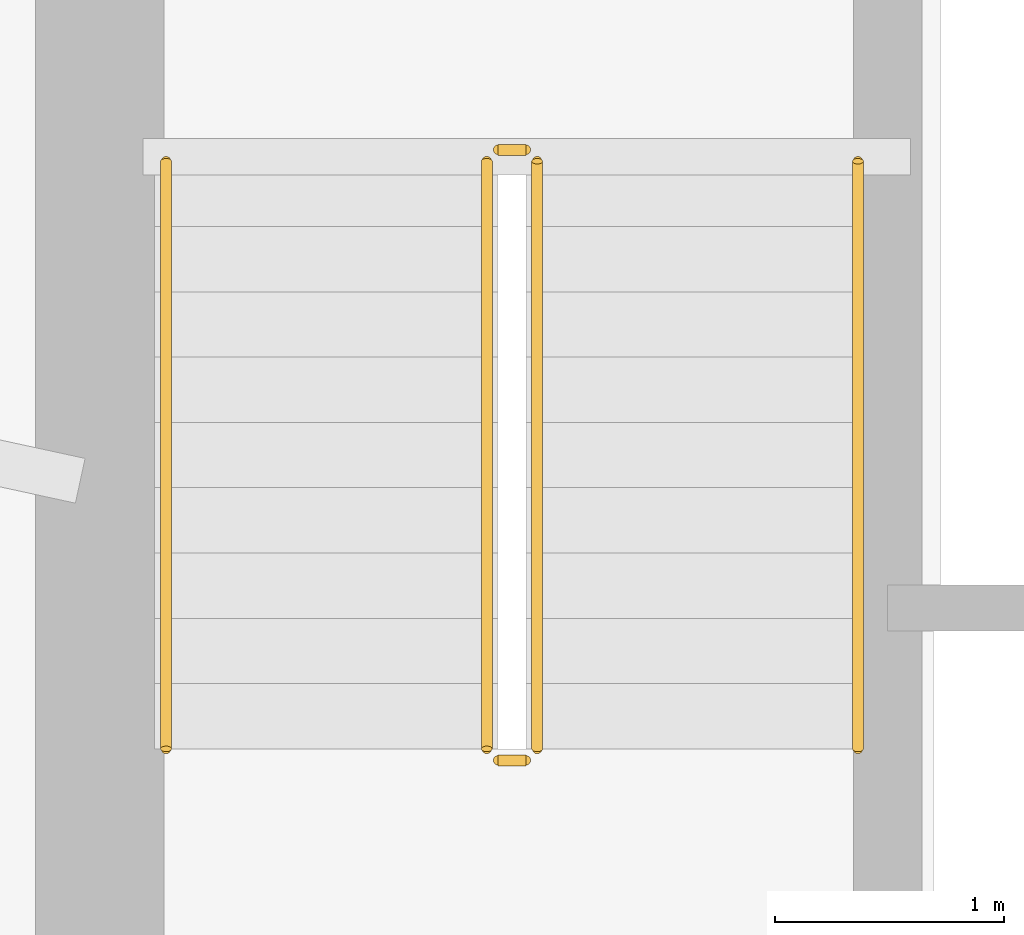
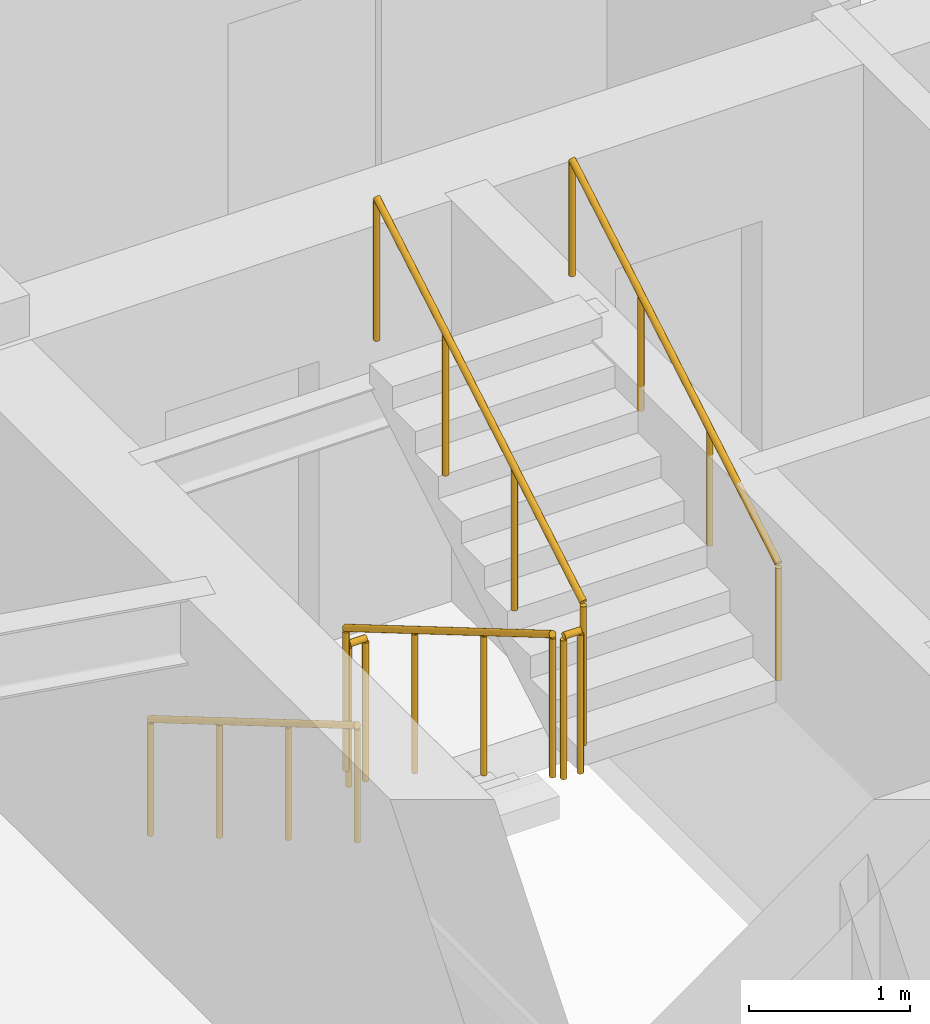
# One storey, part 20 of 22: 6 railings.
"""IFC4 building model written with IfcOpenShell, lengths in metres."""

from ifc_helpers import new_model, si_unit, direction, frame, origin, origin_2d, place, context, subcontext, project, spatial, circle, extrude, material, type_object, element, save


model = new_model("IFC4")

# Units and contexts
model_context = context("Model", 3, precision=1e-05, world=origin(), true_north=direction((0.0, 1.0)))
body_context = subcontext(model_context, "Body", "Model", "MODEL_VIEW")
ifc_project = project(units=[si_unit("LENGTHUNIT", "METRE"), si_unit("AREAUNIT", "SQUARE_METRE"), si_unit("VOLUMEUNIT", "CUBIC_METRE"), si_unit("PLANEANGLEUNIT", "RADIAN"), si_unit("MASSUNIT", "GRAM", prefix="KILO")], contexts=[model_context])

# Site, building, storey
site_placement = place(None, origin())
site = spatial("IfcSite", under=ifc_project, at=site_placement, CompositionType="ELEMENT")
building_placement = place(site_placement, origin())
building = spatial("IfcBuilding", under=site, at=building_placement, Name="Qobustan Lattice House", CompositionType="ELEMENT")
storey_placement = place(building_placement, frame((0.0, 0.0, 33.699951171875)))
storey = spatial("IfcBuildingStorey", under=building, at=storey_placement, Name="L08", CompositionType="ELEMENT", Elevation=33.699951171875)

# Railings
ifc_material_1 = material(Name="Brushed stainless steel handrail", Category="steel")
railing_type_1 = type_object("IfcRailingType", Name="RAL-HR-920", PredefinedType="HANDRAIL", material=ifc_material_1)
railing_1_placement = place(storey_placement, frame((-18.199951171875, 3.5, 0.16748046875)))
element("IfcRailing", 1, at=railing_1_placement, inside=storey, type_object=railing_type_1, Name="L08 ST-W1 stair handrail 1", PredefinedType="HANDRAIL", context=body_context, shape_type="SweptSolid", body=[
    extrude(circle(Radius=0.02392578125, at=origin_2d()), frame((0.0, 0.0, 0.8759765625), z_axis=(0.0, -0.862113467892, 0.50671527358), x_axis=(1.0, 0.0, 0.0)), (0.0, 0.0, 1.0), 2.97509765625),
    extrude(circle(Radius=0.02099609375, at=origin_2d()), origin(), (0.0, 0.0, 1.0), 0.851806640625),
    extrude(circle(Radius=0.02099609375, at=origin_2d()), frame((0.0, -0.85498046875, 0.50244140625)), (0.0, 0.0, 1.0), 0.851806640625),
    extrude(circle(Radius=0.02099609375, at=origin_2d()), frame((0.0, -1.7099609375, 1.005126953125)), (0.0, 0.0, 1.0), 0.851806640625),
    extrude(circle(Radius=0.02099609375, at=origin_2d()), frame((0.0, -2.56494140625, 1.507568359375)), (0.0, 0.0, 1.0), 0.851806640625),
])
railing_2_placement = place(storey_placement, frame((-15.179931640625, 0.93505859375, 1.842529296875)))
element("IfcRailing", 2, at=railing_2_placement, inside=storey, type_object=railing_type_1, Name="L08 ST-W1 stair handrail 2", PredefinedType="HANDRAIL", context=body_context, shape_type="SweptSolid", body=[
    extrude(circle(Radius=0.02392578125, at=origin_2d()), frame((0.0, 0.0, 0.8759765625), z_axis=(0.0, 0.862113467892, 0.50671527358), x_axis=(-1.0, 0.0, 0.0)), (0.0, 0.0, 1.0), 2.97509765625),
    extrude(circle(Radius=0.02099609375, at=origin_2d()), origin(), (0.0, 0.0, 1.0), 0.851806640625),
    extrude(circle(Radius=0.02099609375, at=origin_2d()), frame((0.0, 0.85498046875, 0.50244140625)), (0.0, 0.0, 1.0), 0.851806640625),
    extrude(circle(Radius=0.02099609375, at=origin_2d()), frame((0.0, 1.7099609375, 1.005126953125)), (0.0, 0.0, 1.0), 0.851806640625),
    extrude(circle(Radius=0.02099609375, at=origin_2d()), frame((0.0, 2.56494140625, 1.507568359375)), (0.0, 0.0, 1.0), 0.851806640625),
])
ifc_material_2 = material(Name="Painted galvanized steel guardrail", Category="steel")
railing_type_2 = type_object("IfcRailingType", Name="RAL-STG-1150", PredefinedType="GUARDRAIL", material=ifc_material_2)
railing_3_placement = place(storey_placement, frame((-16.800048828125, 3.5, 0.16748046875)))
element("IfcRailing", 3, at=railing_3_placement, inside=storey, type_object=railing_type_2, Name="L08 ST-W1 stair guard 1", PredefinedType="GUARDRAIL", context=body_context, shape_type="SweptSolid", body=[
    extrude(circle(Radius=0.02392578125, at=origin_2d()), frame((0.0, 0.0, 1.076171875), z_axis=(0.0, -0.862113467892, 0.50671527358), x_axis=(1.0, 0.0, 0.0)), (0.0, 0.0, 1.0), 2.97509765625),
    extrude(circle(Radius=0.02099609375, at=origin_2d()), origin(), (0.0, 0.0, 1.0), 1.052001953125),
    extrude(circle(Radius=0.02099609375, at=origin_2d()), frame((0.0, -0.85498046875, 0.50244140625)), (0.0, 0.0, 1.0), 1.052001953125),
    extrude(circle(Radius=0.02099609375, at=origin_2d()), frame((0.0, -1.7099609375, 1.005126953125)), (0.0, 0.0, 1.0), 1.052001953125),
    extrude(circle(Radius=0.02099609375, at=origin_2d()), frame((0.0, -2.56494140625, 1.507568359375)), (0.0, 0.0, 1.0), 1.052001953125),
])
railing_4_placement = place(storey_placement, frame((-16.75, 0.885009765625, 1.675048828125)))
element("IfcRailing", 4, at=railing_4_placement, inside=storey, type_object=railing_type_2, Name="L08 ST-W1 stair guard 2", PredefinedType="GUARDRAIL", context=body_context, shape_type="SweptSolid", body=[
    extrude(circle(Radius=0.02392578125, at=origin_2d()), frame((0.0, 0.0, 1.076171875), z_axis=(1.0, 0.0, 0.0), x_axis=(0.0, 1.0, 0.0)), (0.0, 0.0, 1.0), 0.1201171875),
    extrude(circle(Radius=0.02099609375, at=origin_2d()), origin(), (0.0, 0.0, 1.0), 1.052001953125),
    extrude(circle(Radius=0.02099609375, at=origin_2d()), frame((0.1201171875, 0.0, 0.0)), (0.0, 0.0, 1.0), 1.052001953125),
])
railing_5_placement = place(storey_placement, frame((-16.580078125, 0.93505859375, 1.842529296875)))
element("IfcRailing", 5, at=railing_5_placement, inside=storey, type_object=railing_type_2, Name="L08 ST-W1 stair guard 3", PredefinedType="GUARDRAIL", context=body_context, shape_type="SweptSolid", body=[
    extrude(circle(Radius=0.02392578125, at=origin_2d()), frame((0.0, 0.0, 1.076171875), z_axis=(0.0, 0.862113467892, 0.50671527358), x_axis=(-1.0, 0.0, 0.0)), (0.0, 0.0, 1.0), 2.97509765625),
    extrude(circle(Radius=0.02099609375, at=origin_2d()), origin(), (0.0, 0.0, 1.0), 1.052001953125),
    extrude(circle(Radius=0.02099609375, at=origin_2d()), frame((0.0, 0.85498046875, 0.50244140625)), (0.0, 0.0, 1.0), 1.052001953125),
    extrude(circle(Radius=0.02099609375, at=origin_2d()), frame((0.0, 1.7099609375, 1.005126953125)), (0.0, 0.0, 1.0), 1.052001953125),
    extrude(circle(Radius=0.02099609375, at=origin_2d()), frame((0.0, 2.56494140625, 1.507568359375)), (0.0, 0.0, 1.0), 1.052001953125),
])
railing_6_placement = place(storey_placement, frame((-16.75, 3.550048828125, 0.0)))
element("IfcRailing", 6, at=railing_6_placement, inside=storey, type_object=railing_type_2, Name="L08 ST-W1 stair guard 4", PredefinedType="GUARDRAIL", context=body_context, shape_type="SweptSolid", body=[
    extrude(circle(Radius=0.02392578125, at=origin_2d()), frame((0.0, 0.0, 1.076171875), z_axis=(1.0, 0.0, 0.0), x_axis=(0.0, 1.0, 0.0)), (0.0, 0.0, 1.0), 0.1201171875),
    extrude(circle(Radius=0.02099609375, at=origin_2d()), origin(), (0.0, 0.0, 1.0), 1.052001953125),
    extrude(circle(Radius=0.02099609375, at=origin_2d()), frame((0.1201171875, 0.0, 0.0)), (0.0, 0.0, 1.0), 1.052001953125),
])

save(model, "model.ifc")
